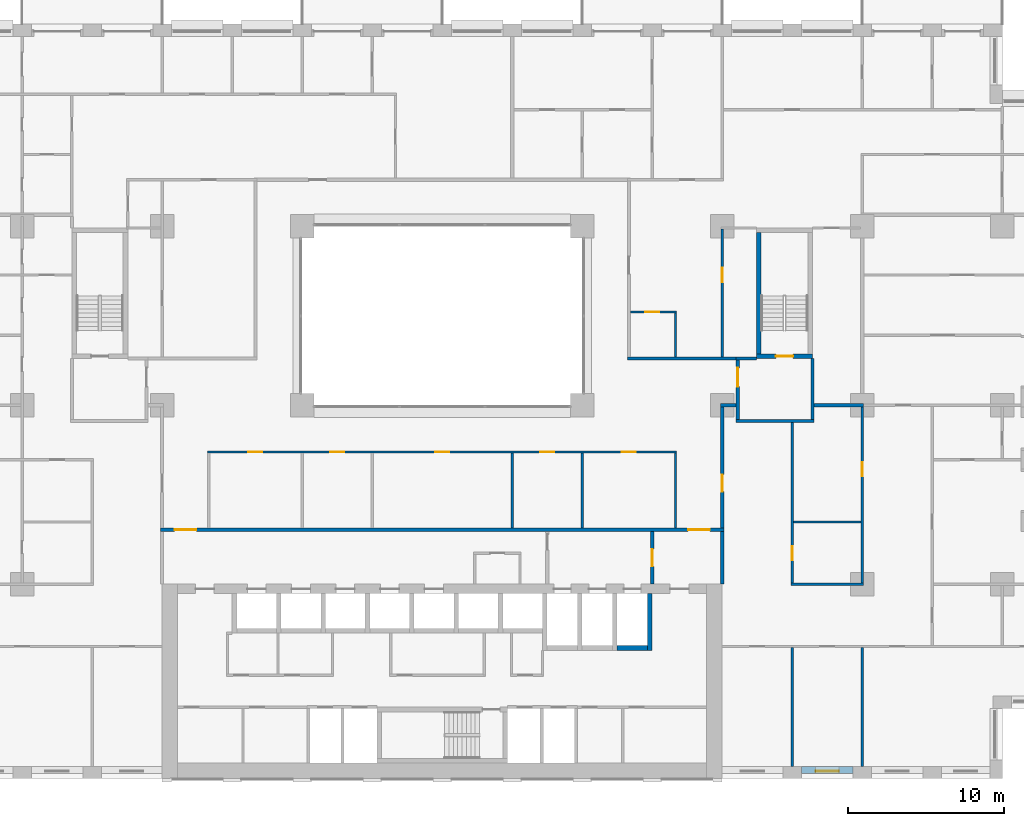
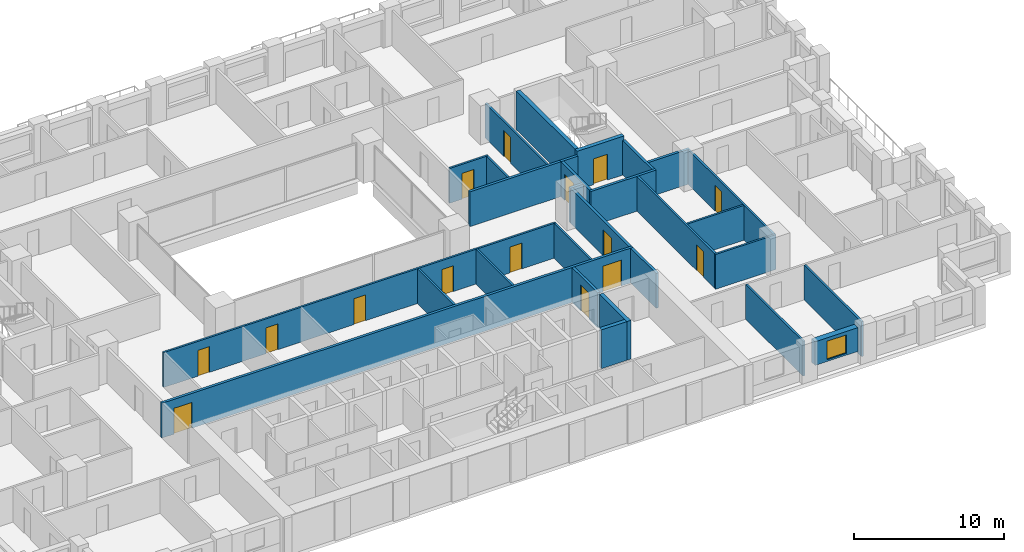
# One storey, part 12 of 20: 29 walls, 15 doors, 1 window, 16 openings.
"""IFC4 building model written with IfcOpenShell, lengths in metres."""

import ifcopenshell
import ifcopenshell.guid

model = None  # the IFC model being written
_history = None  # IfcOwnerHistory: only IFC2X3 demands one
_inside = {}  # id of a spatial element -> (the spatial element, [elements in it])
_under = {}  # id of a project, library or spatial element -> (it, [spatial elements below it])
_declared = {}  # id of a project -> (the project, [libraries it declares])
_typed = {}  # id of a type object -> (the type object, [elements of that type])
_made_of = {}  # id of a material, layer set ... -> (it, [elements and type objects made of it])


def new_model(schema):
    """Start an empty IFC model of exactly this schema.

    Asked for "IFC4X3", IfcOpenShell would pick the latest addendum, in which some entities
    have other attributes; the version numbers below select the first issue.
    IFC2X3 requires an IfcOwnerHistory on every rooted entity: one is made here for all.
    """
    global model, _history
    if schema == "IFC4X3":
        model = ifcopenshell.file(schema_version=(4, 3, 0, 0))
    else:
        model = ifcopenshell.file(schema=schema)
    _inside.clear()
    _under.clear()
    _declared.clear()
    _typed.clear()
    _made_of.clear()
    _history = None
    if model.schema == "IFC2X3":
        org = make("IfcOrganization", Name="unknown")
        user = make(
            "IfcPersonAndOrganization",
            ThePerson=make("IfcPerson", FamilyName="unknown"),
            TheOrganization=org,
        )
        app = make(
            "IfcApplication",
            ApplicationDeveloper=org,
            Version="unknown",
            ApplicationFullName="unknown",
            ApplicationIdentifier="unknown",
        )
        _history = make(
            "IfcOwnerHistory",
            OwningUser=user,
            OwningApplication=app,
            ChangeAction="ADDED",
            CreationDate=0,
        )
    return model


def make(cls, **values):
    """One entity of the class cls with the attributes given. An attribute that is None is left unset."""
    return model.create_entity(
        cls, **{name: value for name, value in values.items() if value is not None}
    )


def rooted(cls, **values):
    """An entity with a GlobalId (a new one), such as an element, a storey or a relation."""
    return make(cls, GlobalId=ifcopenshell.guid.new(), OwnerHistory=_history, **values)


def si_unit(unit_type, name, prefix=None):
    """IfcSIUnit, for example si_unit("LENGTHUNIT", "METRE", prefix="MILLI")."""
    return make("IfcSIUnit", UnitType=unit_type, Prefix=prefix, Name=name)


def assignment(units):
    """IfcUnitAssignment: the units of a project."""
    return None if units is None else make("IfcUnitAssignment", Units=units)


def point(xyz):
    """IfcCartesianPoint."""
    return None if xyz is None else make("IfcCartesianPoint", Coordinates=xyz)


def direction(xyz):
    """IfcDirection."""
    return None if xyz is None else make("IfcDirection", DirectionRatios=xyz)


def frame(location, z_axis=None, x_axis=None):
    """IfcAxis2Placement3D, a coordinate frame: its origin and axes. An axis left out is left unset."""
    return make(
        "IfcAxis2Placement3D",
        Location=point(location),
        Axis=direction(z_axis),
        RefDirection=direction(x_axis),
    )


def frame_2d(location, x_axis=None):
    """IfcAxis2Placement2D, a coordinate frame in the plane: its origin and x axis."""
    return make(
        "IfcAxis2Placement2D", Location=point(location), RefDirection=direction(x_axis)
    )


def origin():
    """The frame at (0, 0, 0) with its axes left unset."""
    return frame((0.0, 0.0, 0.0))


def place(relative_to, where):
    """IfcLocalPlacement: puts the frame where relative to a parent placement (None: the world)."""
    return make(
        "IfcLocalPlacement", PlacementRelTo=relative_to, RelativePlacement=where
    )


def context(
    kind, dimensions, precision=None, world=None, true_north=None, identifier=None
):
    """IfcGeometricRepresentationContext, for example the 3D "Model" context."""
    return make(
        "IfcGeometricRepresentationContext",
        ContextIdentifier=identifier,
        ContextType=kind,
        CoordinateSpaceDimension=dimensions,
        Precision=precision,
        WorldCoordinateSystem=world,
        TrueNorth=true_north,
    )


def subcontext(parent, identifier, kind, view, scale=None):
    """IfcGeometricRepresentationSubContext, for example "Body" below "Model"."""
    return make(
        "IfcGeometricRepresentationSubContext",
        ContextIdentifier=identifier,
        ContextType=kind,
        ParentContext=parent,
        TargetScale=scale,
        TargetView=view,
    )


def project(units=None, contexts=None):
    """IfcProject with its units and contexts."""
    return rooted(
        "IfcProject",
        Name="project",
        RepresentationContexts=contexts,
        UnitsInContext=assignment(units),
    )


def spatial(cls, under=None, at=None, **own):
    """A site, building, storey or space (cls), placed at a placement, below another one or the project."""
    s = rooted(cls, ObjectPlacement=at, **own)
    if under is not None:
        _under.setdefault(under.id(), (under, []))[1].append(s)
    return s


def profile(cls, at=None, kind="AREA", **sizes):
    """A parametric profile (cls). Its sizes go by their IFC names, for example OverallWidth=200.0."""
    return make(cls, ProfileType=kind, Position=at, **sizes)


def rectangle(**sizes):
    """IfcRectangleProfileDef."""
    return profile("IfcRectangleProfileDef", **sizes)


def extrude(swept, where, along, depth):
    """IfcExtrudedAreaSolid: the profile swept, set in the frame where, extruded along a direction by depth."""
    return make(
        "IfcExtrudedAreaSolid",
        SweptArea=swept,
        Position=where,
        ExtrudedDirection=direction(along),
        Depth=depth,
    )


def shape(context_of_items, identifier, shape_type, items):
    """IfcShapeRepresentation: the items that make up one representation, for example the "Body"."""
    return make(
        "IfcShapeRepresentation",
        ContextOfItems=context_of_items,
        RepresentationIdentifier=identifier,
        RepresentationType=shape_type,
        Items=items,
    )


def material(Name=None, Category=None):
    """IfcMaterial."""
    return make("IfcMaterial", Name=Name, Category=Category)


def layer(
    of_material, thickness, ventilated=None, Name=None, Category=None, Priority=None
):
    """IfcMaterialLayer: one layer of a wall or slab, of a material (None: an air gap)."""
    return make(
        "IfcMaterialLayer",
        Material=of_material,
        LayerThickness=thickness,
        IsVentilated=ventilated,
        Name=Name,
        Category=Category,
        Priority=Priority,
    )


def layer_set(layers, Name=None):
    """IfcMaterialLayerSet."""
    return make("IfcMaterialLayerSet", MaterialLayers=layers, LayerSetName=Name)


def made_of(thing, what):
    """Note that an element or type object is made of a material, layer set ...; save() writes the relation."""
    if what is not None:
        _made_of.setdefault(what.id(), (what, []))[1].append(thing)
    return thing


def type_object(cls, material=None, **own):
    """A type object (cls), such as IfcWallType, which elements share."""
    return made_of(rooted(cls, **own), material)


def element(
    cls,
    number,
    at=None,
    inside=None,
    cuts=None,
    type_object=None,
    material=None,
    context=None,
    identifier="Body",
    shape_type=None,
    held_by="IfcProductDefinitionShape",
    body=None,
    shapes=None,
    **own,
):
    """One element of the class cls, such as IfcWall. Its Tag is "e" and its number.

    at: its placement. inside: the storey or other place that contains it. cuts: it is an
    opening in that element (IfcRelVoidsElement). A single representation is given by context,
    identifier, shape_type and body (its items); several are given by shapes. held_by: the class
    of the entity that holds the representations. save() writes the other relations.
    """
    e = rooted(cls, Tag="e%d" % number, ObjectPlacement=at, **own)
    if body is not None:
        shapes = [shape(context, identifier, shape_type, body)]
    if shapes is not None:
        e.Representation = make(held_by, Representations=shapes)
    if inside is not None:
        _inside.setdefault(inside.id(), (inside, []))[1].append(e)
    if cuts is not None:
        rooted(
            "IfcRelVoidsElement", RelatingBuildingElement=cuts, RelatedOpeningElement=e
        )
    if type_object is not None:
        _typed.setdefault(type_object.id(), (type_object, []))[1].append(e)
    return made_of(e, material)


def fill(opening, filler):
    """IfcRelFillsElement: the door or window that sits in an opening."""
    return rooted(
        "IfcRelFillsElement",
        RelatingOpeningElement=opening,
        RelatedBuildingElement=filler,
    )


def aggregate(whole, parts):
    """IfcRelAggregates: a whole, such as a stair, and the parts it consists of."""
    return rooted("IfcRelAggregates", RelatingObject=whole, RelatedObjects=parts)


def save(model, path):
    """Write the relations noted so far, then the file.

    IfcRelAggregates (storeys below a building ...), IfcRelContainedInSpatialStructure (elements
    in a storey), IfcRelDefinesByType, IfcRelAssociatesMaterial and IfcRelDeclares: one each for
    every whole, place, type object, material and project.
    """
    for whole, parts in _under.values():
        aggregate(whole, parts)
    for where, things in _inside.values():
        rooted(
            "IfcRelContainedInSpatialStructure",
            RelatedElements=things,
            RelatingStructure=where,
        )
    for kind, things in _typed.values():
        rooted("IfcRelDefinesByType", RelatedObjects=things, RelatingType=kind)
    for what, things in _made_of.values():
        rooted("IfcRelAssociatesMaterial", RelatedObjects=things, RelatingMaterial=what)
    for by, libraries in _declared.values():
        rooted("IfcRelDeclares", RelatingContext=by, RelatedDefinitions=libraries)
    model.write(path)


model = new_model("IFC4")

# Units and contexts
model_context = context("Model", 3, precision=1e-05, world=origin(), true_north=direction((0.0, 1.0)))
body_context = subcontext(model_context, "Body", "Model", "MODEL_VIEW")
ifc_project = project(units=[si_unit("LENGTHUNIT", "METRE"), si_unit("AREAUNIT", "SQUARE_METRE"), si_unit("VOLUMEUNIT", "CUBIC_METRE"), si_unit("PLANEANGLEUNIT", "RADIAN"), si_unit("MASSUNIT", "GRAM", prefix="KILO")], contexts=[model_context])

# Site, building, storey
site_placement = place(None, origin())
site = spatial("IfcSite", under=ifc_project, at=site_placement, CompositionType="ELEMENT")
building_placement = place(site_placement, origin())
building = spatial("IfcBuilding", under=site, at=building_placement, Name="Brigalow Station Residences", CompositionType="ELEMENT")
storey_placement = place(building_placement, frame((0.0, 0.0, 41.550048828125)))
storey = spatial("IfcBuildingStorey", under=building, at=storey_placement, Name="L11", CompositionType="ELEMENT", Elevation=41.550048828125)

# Wall, opening, window
ifc_material_1 = material(Name="Clay brick masonry", Category="masonry")
ifc_layer_1 = layer(ifc_material_1, 0.449951171875)
ifc_layer_set_1 = layer_set([ifc_layer_1], Name="BRICK INFILL WALL 450")
wall_type_1 = type_object("IfcWallType", Name="BRICK INFILL WALL 450", PredefinedType="SOLIDWALL", material=ifc_layer_set_1)
wall_1_placement = place(storey_placement, frame((59.10009765625, 0.574951171875, 0.89990234375), z_axis=(0.0, 0.0, 1.0), x_axis=(1.0, 0.0, 0.0)))
wall_1 = element("IfcWall", 1, at=wall_1_placement, inside=storey, type_object=wall_type_1, Name="L11/ewall/W-L11-6", PredefinedType="SOLIDWALL", context=body_context, shape_type="SweptSolid", body=[
    extrude(rectangle(XDim=3.2998046875, YDim=0.449951171875, at=frame_2d((1.64990234375, 0.0))), origin(), (0.0, 0.0, 1.0), 1.929931640625),
])
opening_1_placement = place(wall_1_placement, frame((0.89990234375, 0.0, 0.14990234375)))
opening_1 = element("IfcOpeningElement", 2, at=opening_1_placement, cuts=wall_1, Name="Opening WT-1", PredefinedType="OPENING", context=body_context, shape_type="SweptSolid", body=[
    extrude(rectangle(XDim=1.5, YDim=1.5, at=frame_2d((0.75, 0.75))), frame((0.0, 0.23486328125, 0.0), z_axis=(0.0, -1.0, 0.0), x_axis=(1.0, 0.0, 0.0)), (0.0, 0.0, 1.0), 0.469970703125),
])
ifc_material_2 = material(Name="Anodised aluminium frame with double glazing", Category="aluminium")
window_type = type_object("IfcWindowType", Name="WINDOW 1500x1500", PartitioningType="SINGLE_PANEL", PredefinedType="WINDOW", material=ifc_material_2)
window_placement = place(opening_1_placement, origin())
window = element("IfcWindow", 3, at=window_placement, inside=storey, type_object=window_type, Name="L11/window/W-L11-6", OverallHeight=1.5, OverallWidth=1.5, PartitioningType="SINGLE_PANEL", PredefinedType="WINDOW", context=body_context, shape_type="SweptSolid", body=[
    extrude(rectangle(XDim=1.5, YDim=1.5, at=frame_2d((0.75, 0.75))), frame((0.0, -0.06494140625, 0.0), z_axis=(0.0, -1.0, 0.0), x_axis=(1.0, 0.0, 0.0)), (0.0, 0.0, 1.0), 0.06005859375),
])
fill(opening_1, window)

# Walls
ifc_material_3 = material(Name="Concrete C80", Category="concrete")
ifc_layer_2 = layer(ifc_material_3, 0.300048828125)
ifc_layer_set_2 = layer_set([ifc_layer_2], Name="CORE SHEAR WALL 300 C80")
wall_type_2 = type_object("IfcWallType", Name="CORE SHEAR WALL 300 C80", PredefinedType="SHEAR", material=ifc_layer_set_2)
wall_2_placement = place(storey_placement, frame((47.25, 8.39990234375, 0.0), z_axis=(0.0, 0.0, 1.0), x_axis=(1.0, 0.0, 0.0)))
element("IfcWall", 4, at=wall_2_placement, inside=storey, type_object=wall_type_2, Name="CORE WALL SH-SL1-S L11", PredefinedType="SHEAR", context=body_context, shape_type="SweptSolid", body=[
    extrude(rectangle(XDim=1.949951171875, YDim=0.300048828125, at=frame_2d((0.97509765625, 0.0))), origin(), (0.0, 0.0, 1.0), 3.14990234375),
])
wall_3_placement = place(storey_placement, frame((49.35009765625, 8.25, 0.0), z_axis=(0.0, 0.0, 1.0), x_axis=(0.0, 1.0, 0.0)))
element("IfcWall", 5, at=wall_3_placement, inside=storey, type_object=wall_type_2, Name="CORE WALL SH-SL1-E L11", PredefinedType="SHEAR", context=body_context, shape_type="SweptSolid", body=[
    extrude(rectangle(XDim=3.64990234375, YDim=0.300048828125, at=frame_2d((1.824951171875, 0.0))), origin(), (0.0, 0.0, 1.0), 3.14990234375),
])

# Wall, opening, door
wall_4_placement = place(storey_placement, frame((56.199951171875, 27.14990234375, 0.0), z_axis=(0.0, 0.0, 1.0), x_axis=(1.0, 0.0, 0.0)))
wall_4 = element("IfcWall", 6, at=wall_4_placement, inside=storey, type_object=wall_type_2, Name="CORE WALL ST-S3-S L11", PredefinedType="SHEAR", context=body_context, shape_type="SweptSolid", body=[
    extrude(rectangle(XDim=3.60009765625, YDim=0.300048828125, at=frame_2d((1.800048828125, 0.0))), origin(), (0.0, 0.0, 1.0), 3.14990234375),
])
opening_2_placement = place(wall_4_placement, frame((1.25, 0.0, 0.0)))
opening_2 = element("IfcOpeningElement", 7, at=opening_2_placement, cuts=wall_4, Name="Opening D-5018", PredefinedType="OPENING", context=body_context, shape_type="SweptSolid", body=[
    extrude(rectangle(XDim=1.10009765625, YDim=2.10009765625, at=frame_2d((0.550048828125, 1.050048828125))), frame((0.0, 0.16015625, 0.0), z_axis=(0.0, -1.0, 0.0), x_axis=(1.0, 0.0, 0.0)), (0.0, 0.0, 1.0), 0.320068359375),
])
ifc_material_4 = material(Name="Steel fire door leaf in steel frame", Category="steel")
door_type_1 = type_object("IfcDoorType", Name="STAIR DOOR 1100 x 2100 FD60S", OperationType="SINGLE_SWING_LEFT", PredefinedType="DOOR", material=ifc_material_4)
door_1_placement = place(opening_2_placement, origin())
door_1 = element("IfcDoor", 8, at=door_1_placement, inside=storey, type_object=door_type_1, Name="D-5018", OperationType="SINGLE_SWING_LEFT", OverallHeight=2.10009765625, OverallWidth=1.10009765625, PredefinedType="DOOR", context=body_context, shape_type="SweptSolid", body=[
    extrude(rectangle(XDim=1.10009765625, YDim=2.10009765625, at=frame_2d((0.550048828125, 1.050048828125))), frame((0.0, 0.02490234375, 0.0), z_axis=(0.0, -1.0, 0.0), x_axis=(1.0, 0.0, 0.0)), (0.0, 0.0, 1.0), 0.050048828125),
])
fill(opening_2, door_1)

# Walls
wall_5_placement = place(storey_placement, frame((56.35009765625, 27.300048828125, 0.0), z_axis=(0.0, 0.0, 1.0), x_axis=(0.0, 1.0, 0.0)))
element("IfcWall", 9, at=wall_5_placement, inside=storey, type_object=wall_type_2, Name="CORE WALL ST-S3-W L11", PredefinedType="SHEAR", context=body_context, shape_type="SweptSolid", body=[
    extrude(rectangle(XDim=7.800048828125, YDim=0.300048828125, at=frame_2d((3.89990234375, 0.0))), origin(), (0.0, 0.0, 1.0), 3.14990234375),
])
ifc_material_5 = material(Name="Concrete blockwork", Category="masonry")
ifc_layer_3 = layer(ifc_material_5, 0.199951171875)
ifc_layer_set_3 = layer_set([ifc_layer_3], Name="FIRE RATED CORE PARTITION 200")
wall_type_3 = type_object("IfcWallType", Name="FIRE RATED CORE PARTITION 200", PredefinedType="PARTITIONING", material=ifc_layer_set_3)
wall_6_placement = place(storey_placement, frame((54.89990234375, 23.0, 0.0), z_axis=(0.0, 0.0, 1.0), x_axis=(1.0, 0.0, 0.0)))
element("IfcWall", 10, at=wall_6_placement, inside=storey, type_object=wall_type_3, Name="PW-5024", PredefinedType="PARTITIONING", context=body_context, shape_type="SweptSolid", body=[
    extrude(rectangle(XDim=5.0, YDim=0.199951171875, at=frame_2d((2.5, 0.0))), origin(), (0.0, 0.0, 1.0), 2.829833984375),
])
wall_7_placement = place(storey_placement, frame((54.89990234375, 27.0, 0.0), z_axis=(0.0, 0.0, 1.0), x_axis=(1.0, 0.0, 0.0)))
element("IfcWall", 11, at=wall_7_placement, inside=storey, type_object=wall_type_3, Name="PW-5026", PredefinedType="PARTITIONING", context=body_context, shape_type="SweptSolid", body=[
    extrude(rectangle(XDim=1.300048828125, YDim=0.199951171875, at=frame_2d((0.64990234375, 0.0))), origin(), (0.0, 0.0, 1.0), 2.829833984375),
])

# Wall, opening, door
wall_8_placement = place(storey_placement, frame((49.5, 12.5, 0.0), z_axis=(0.0, 0.0, 1.0), x_axis=(0.0, 1.0, 0.0)))
wall_8 = element("IfcWall", 12, at=wall_8_placement, inside=storey, type_object=wall_type_3, Name="PW-5015", PredefinedType="PARTITIONING", context=body_context, shape_type="SweptSolid", body=[
    extrude(rectangle(XDim=3.39990234375, YDim=0.199951171875, at=frame_2d((1.699951171875, 0.0))), origin(), (0.0, 0.0, 1.0), 2.829833984375),
])
opening_3_placement = place(wall_8_placement, frame((1.14990234375, 0.0, 0.0)))
opening_3 = element("IfcOpeningElement", 13, at=opening_3_placement, cuts=wall_8, Name="Opening D-5014", PredefinedType="OPENING", context=body_context, shape_type="SweptSolid", body=[
    extrude(rectangle(XDim=1.10009765625, YDim=2.10009765625, at=frame_2d((0.550048828125, 1.050048828125))), frame((0.0, 0.10986328125, 0.0), z_axis=(0.0, -1.0, 0.0), x_axis=(1.0, 0.0, 0.0)), (0.0, 0.0, 1.0), 0.219970703125),
])
ifc_material_6 = material(Name="Steel fire door leaf in steel frame", Category="steel")
door_type_2 = type_object("IfcDoorType", Name="LOBBY DOOR 1100 x 2100 FD60S", OperationType="SINGLE_SWING_LEFT", PredefinedType="DOOR", material=ifc_material_6)
door_2_placement = place(opening_3_placement, origin())
door_2 = element("IfcDoor", 14, at=door_2_placement, inside=storey, type_object=door_type_2, Name="D-5014", OperationType="SINGLE_SWING_LEFT", OverallHeight=2.10009765625, OverallWidth=1.10009765625, PredefinedType="DOOR", context=body_context, shape_type="SweptSolid", body=[
    extrude(rectangle(XDim=1.10009765625, YDim=2.10009765625, at=frame_2d((0.550048828125, 1.050048828125))), frame((0.0, 0.02490234375, 0.0), z_axis=(0.0, -1.0, 0.0), x_axis=(1.0, 0.0, 0.0)), (0.0, 0.0, 1.0), 0.050048828125),
])
fill(opening_3, door_2)

# Wall
wall_9_placement = place(storey_placement, frame((54.0, 12.5, 0.0), z_axis=(0.0, 0.0, 1.0), x_axis=(0.0, 1.0, 0.0)))
element("IfcWall", 15, at=wall_9_placement, inside=storey, type_object=wall_type_3, Name="PW-5016", PredefinedType="PARTITIONING", context=body_context, shape_type="SweptSolid", body=[
    extrude(rectangle(XDim=3.39990234375, YDim=0.199951171875, at=frame_2d((1.699951171875, 0.0))), origin(), (0.0, 0.0, 1.0), 2.829833984375),
])

# Wall, opening, door
wall_10_placement = place(storey_placement, frame((55.0, 23.10009765625, 0.0), z_axis=(0.0, 0.0, 1.0), x_axis=(0.0, 1.0, 0.0)))
wall_10 = element("IfcWall", 16, at=wall_10_placement, inside=storey, type_object=wall_type_3, Name="PW-5036", PredefinedType="PARTITIONING", context=body_context, shape_type="SweptSolid", body=[
    extrude(rectangle(XDim=3.7998046875, YDim=0.199951171875, at=frame_2d((1.89990234375, 0.0))), origin(), (0.0, 0.0, 1.0), 2.829833984375),
])
opening_4_placement = place(wall_10_placement, frame((2.10009765625, 0.0, 0.0)))
opening_4 = element("IfcOpeningElement", 17, at=opening_4_placement, cuts=wall_10, Name="Opening D-5019", PredefinedType="OPENING", context=body_context, shape_type="SweptSolid", body=[
    extrude(rectangle(XDim=1.199951171875, YDim=2.10009765625, at=frame_2d((0.60009765625, 1.050048828125))), frame((0.0, 0.10986328125, 0.0), z_axis=(0.0, -1.0, 0.0), x_axis=(1.0, 0.0, 0.0)), (0.0, 0.0, 1.0), 0.219970703125),
])
ifc_material_7 = material(Name="Steel fire door leaf in steel frame", Category="steel")
door_type_3 = type_object("IfcDoorType", Name="STAIR LOBBY DOOR 1200 x 2100 FD60S", OperationType="SINGLE_SWING_LEFT", PredefinedType="DOOR", material=ifc_material_7)
door_3_placement = place(opening_4_placement, frame((1.199951171875, 0.0, 0.0), z_axis=(0.0, 0.0, 1.0), x_axis=(-1.0, 0.0, 0.0)))
door_3 = element("IfcDoor", 18, at=door_3_placement, inside=storey, type_object=door_type_3, Name="D-5019", OperationType="SINGLE_SWING_LEFT", OverallHeight=2.10009765625, OverallWidth=1.199951171875, PredefinedType="DOOR", context=body_context, shape_type="SweptSolid", body=[
    extrude(rectangle(XDim=1.199951171875, YDim=2.10009765625, at=frame_2d((0.60009765625, 1.050048828125))), frame((0.0, 0.02490234375, 0.0), z_axis=(0.0, -1.0, 0.0), x_axis=(1.0, 0.0, 0.0)), (0.0, 0.0, 1.0), 0.050048828125),
])
fill(opening_4, door_3)

# Wall
wall_11_placement = place(storey_placement, frame((59.800048828125, 23.10009765625, 0.0), z_axis=(0.0, 0.0, 1.0), x_axis=(0.0, 1.0, 0.0)))
element("IfcWall", 19, at=wall_11_placement, inside=storey, type_object=wall_type_3, Name="PW-5037", PredefinedType="PARTITIONING", context=body_context, shape_type="SweptSolid", body=[
    extrude(rectangle(XDim=3.89990234375, YDim=0.199951171875, at=frame_2d((1.949951171875, 0.0))), origin(), (0.0, 0.0, 1.0), 2.829833984375),
])

# Wall, openings, doors
ifc_material_8 = material(Name="Plasterboard on steel stud partition", Category="steel")
ifc_layer_4 = layer(ifc_material_8, 0.14990234375)
ifc_layer_set_4 = layer_set([ifc_layer_4], Name="FLAT PARTITION 150")
wall_type_4 = type_object("IfcWallType", Name="FLAT PARTITION 150", PredefinedType="PARTITIONING", material=ifc_layer_set_4)
wall_12_placement = place(storey_placement, frame((20.925048828125, 21.0, 0.0), z_axis=(0.0, 0.0, 1.0), x_axis=(1.0, 0.0, 0.0)))
wall_12 = element("IfcWall", 20, at=wall_12_placement, inside=storey, type_object=wall_type_4, Name="PW-1C01", PredefinedType="PARTITIONING", context=body_context, shape_type="SweptSolid", body=[
    extrude(rectangle(XDim=30.14990234375, YDim=0.14990234375, at=frame_2d((15.074951171875, 0.0))), origin(), (0.0, 0.0, 1.0), 2.829833984375),
])
opening_5_placement = place(wall_12_placement, frame((2.625, 0.0, 0.0)))
opening_5 = element("IfcOpeningElement", 21, at=opening_5_placement, cuts=wall_12, Name="Opening D-1C64", PredefinedType="OPENING", context=body_context, shape_type="SweptSolid", body=[
    extrude(rectangle(XDim=0.89990234375, YDim=2.10009765625, at=frame_2d((0.449951171875, 1.050048828125))), frame((0.0, 0.0849609375, 0.0), z_axis=(0.0, -1.0, 0.0), x_axis=(1.0, 0.0, 0.0)), (0.0, 0.0, 1.0), 0.169921875),
])
opening_6_placement = place(wall_12_placement, frame((7.875, 0.0, 0.0)))
opening_6 = element("IfcOpeningElement", 22, at=opening_6_placement, cuts=wall_12, Name="Opening D-1C65", PredefinedType="OPENING", context=body_context, shape_type="SweptSolid", body=[
    extrude(rectangle(XDim=0.89990234375, YDim=2.10009765625, at=frame_2d((0.449951171875, 1.050048828125))), frame((0.0, 0.0849609375, 0.0), z_axis=(0.0, -1.0, 0.0), x_axis=(1.0, 0.0, 0.0)), (0.0, 0.0, 1.0), 0.169921875),
])
opening_7_placement = place(wall_12_placement, frame((14.625, 0.0, 0.0)))
opening_7 = element("IfcOpeningElement", 23, at=opening_7_placement, cuts=wall_12, Name="Opening D-1C66", PredefinedType="OPENING", context=body_context, shape_type="SweptSolid", body=[
    extrude(rectangle(XDim=0.89990234375, YDim=2.10009765625, at=frame_2d((0.449951171875, 1.050048828125))), frame((0.0, 0.0849609375, 0.0), z_axis=(0.0, -1.0, 0.0), x_axis=(1.0, 0.0, 0.0)), (0.0, 0.0, 1.0), 0.169921875),
])
opening_8_placement = place(wall_12_placement, frame((21.375, 0.0, 0.0)))
opening_8 = element("IfcOpeningElement", 24, at=opening_8_placement, cuts=wall_12, Name="Opening D-1C67", PredefinedType="OPENING", context=body_context, shape_type="SweptSolid", body=[
    extrude(rectangle(XDim=0.89990234375, YDim=2.10009765625, at=frame_2d((0.449951171875, 1.050048828125))), frame((0.0, 0.0849609375, 0.0), z_axis=(0.0, -1.0, 0.0), x_axis=(1.0, 0.0, 0.0)), (0.0, 0.0, 1.0), 0.169921875),
])
opening_9_placement = place(wall_12_placement, frame((26.625, 0.0, 0.0)))
opening_9 = element("IfcOpeningElement", 25, at=opening_9_placement, cuts=wall_12, Name="Opening D-1C68", PredefinedType="OPENING", context=body_context, shape_type="SweptSolid", body=[
    extrude(rectangle(XDim=0.89990234375, YDim=2.10009765625, at=frame_2d((0.449951171875, 1.050048828125))), frame((0.0, 0.0849609375, 0.0), z_axis=(0.0, -1.0, 0.0), x_axis=(1.0, 0.0, 0.0)), (0.0, 0.0, 1.0), 0.169921875),
])
ifc_material_9 = material(Name="Solid-core timber door leaf", Category="wood")
door_type_4 = type_object("IfcDoorType", Name="INTERNAL DOOR 900 x 2100", OperationType="SINGLE_SWING_LEFT", PredefinedType="DOOR", material=ifc_material_9)
door_4_placement = place(opening_5_placement, frame((0.89990234375, 0.0, 0.0), z_axis=(0.0, 0.0, 1.0), x_axis=(-1.0, 0.0, 0.0)))
door_4 = element("IfcDoor", 26, at=door_4_placement, inside=storey, type_object=door_type_4, Name="D-1C64", OperationType="SINGLE_SWING_LEFT", OverallHeight=2.10009765625, OverallWidth=0.89990234375, PredefinedType="DOOR", context=body_context, shape_type="SweptSolid", body=[
    extrude(rectangle(XDim=0.89990234375, YDim=2.10009765625, at=frame_2d((0.449951171875, 1.050048828125))), frame((0.0, 0.02490234375, 0.0), z_axis=(0.0, -1.0, 0.0), x_axis=(1.0, 0.0, 0.0)), (0.0, 0.0, 1.0), 0.050048828125),
])
fill(opening_5, door_4)
door_5_placement = place(opening_6_placement, frame((0.89990234375, 0.0, 0.0), z_axis=(0.0, 0.0, 1.0), x_axis=(-1.0, 0.0, 0.0)))
door_5 = element("IfcDoor", 27, at=door_5_placement, inside=storey, type_object=door_type_4, Name="D-1C65", OperationType="SINGLE_SWING_RIGHT", OverallHeight=2.10009765625, OverallWidth=0.89990234375, PredefinedType="DOOR", context=body_context, shape_type="SweptSolid", body=[
    extrude(rectangle(XDim=0.89990234375, YDim=2.10009765625, at=frame_2d((0.449951171875, 1.050048828125))), frame((0.0, 0.02490234375, 0.0), z_axis=(0.0, -1.0, 0.0), x_axis=(1.0, 0.0, 0.0)), (0.0, 0.0, 1.0), 0.050048828125),
])
fill(opening_6, door_5)
door_6_placement = place(opening_7_placement, frame((0.89990234375, 0.0, 0.0), z_axis=(0.0, 0.0, 1.0), x_axis=(-1.0, 0.0, 0.0)))
door_6 = element("IfcDoor", 28, at=door_6_placement, inside=storey, type_object=door_type_4, Name="D-1C66", OperationType="SINGLE_SWING_LEFT", OverallHeight=2.10009765625, OverallWidth=0.89990234375, PredefinedType="DOOR", context=body_context, shape_type="SweptSolid", body=[
    extrude(rectangle(XDim=0.89990234375, YDim=2.10009765625, at=frame_2d((0.449951171875, 1.050048828125))), frame((0.0, 0.02490234375, 0.0), z_axis=(0.0, -1.0, 0.0), x_axis=(1.0, 0.0, 0.0)), (0.0, 0.0, 1.0), 0.050048828125),
])
fill(opening_7, door_6)
door_7_placement = place(opening_8_placement, frame((0.89990234375, 0.0, 0.0), z_axis=(0.0, 0.0, 1.0), x_axis=(-1.0, 0.0, 0.0)))
door_7 = element("IfcDoor", 29, at=door_7_placement, inside=storey, type_object=door_type_4, Name="D-1C67", OperationType="SINGLE_SWING_LEFT", OverallHeight=2.10009765625, OverallWidth=0.89990234375, PredefinedType="DOOR", context=body_context, shape_type="SweptSolid", body=[
    extrude(rectangle(XDim=0.89990234375, YDim=2.10009765625, at=frame_2d((0.449951171875, 1.050048828125))), frame((0.0, 0.02490234375, 0.0), z_axis=(0.0, -1.0, 0.0), x_axis=(1.0, 0.0, 0.0)), (0.0, 0.0, 1.0), 0.050048828125),
])
fill(opening_8, door_7)
door_8_placement = place(opening_9_placement, frame((0.89990234375, 0.0, 0.0), z_axis=(0.0, 0.0, 1.0), x_axis=(-1.0, 0.0, 0.0)))
door_8 = element("IfcDoor", 30, at=door_8_placement, inside=storey, type_object=door_type_4, Name="D-1C68", OperationType="SINGLE_SWING_LEFT", OverallHeight=2.10009765625, OverallWidth=0.89990234375, PredefinedType="DOOR", context=body_context, shape_type="SweptSolid", body=[
    extrude(rectangle(XDim=0.89990234375, YDim=2.10009765625, at=frame_2d((0.449951171875, 1.050048828125))), frame((0.0, 0.02490234375, 0.0), z_axis=(0.0, -1.0, 0.0), x_axis=(1.0, 0.0, 0.0)), (0.0, 0.0, 1.0), 0.050048828125),
])
fill(opening_9, door_8)

# Walls
wall_13_placement = place(storey_placement, frame((58.425048828125, 12.5, 0.0), z_axis=(0.0, 0.0, 1.0), x_axis=(1.0, 0.0, 0.0)))
element("IfcWall", 31, at=wall_13_placement, inside=storey, type_object=wall_type_4, Name="PW-1C15", PredefinedType="PARTITIONING", context=body_context, shape_type="SweptSolid", body=[
    extrude(rectangle(XDim=4.64990234375, YDim=0.14990234375, at=frame_2d((2.324951171875, 0.0))), origin(), (0.0, 0.0, 1.0), 2.829833984375),
])
wall_14_placement = place(storey_placement, frame((58.574951171875, 16.5, 0.0), z_axis=(0.0, 0.0, 1.0), x_axis=(1.0, 0.0, 0.0)))
element("IfcWall", 32, at=wall_14_placement, inside=storey, type_object=wall_type_4, Name="PW-1C22", PredefinedType="PARTITIONING", context=body_context, shape_type="SweptSolid", body=[
    extrude(rectangle(XDim=4.35009765625, YDim=0.14990234375, at=frame_2d((2.175048828125, 0.0))), origin(), (0.0, 0.0, 1.0), 2.829833984375),
])

# Wall, opening, door
wall_15_placement = place(storey_placement, frame((48.10009765625, 30.0, 0.0), z_axis=(0.0, 0.0, 1.0), x_axis=(1.0, 0.0, 0.0)))
wall_15 = element("IfcWall", 33, at=wall_15_placement, inside=storey, type_object=wall_type_4, Name="PW-1C34", PredefinedType="PARTITIONING", context=body_context, shape_type="SweptSolid", body=[
    extrude(rectangle(XDim=2.974853515625, YDim=0.14990234375, at=frame_2d((1.4873046875, 0.0))), origin(), (0.0, 0.0, 1.0), 2.829833984375),
])
opening_10_placement = place(wall_15_placement, frame((0.949951171875, 0.0, 0.0)))
opening_10 = element("IfcOpeningElement", 34, at=opening_10_placement, cuts=wall_15, Name="Opening D-1C43", PredefinedType="OPENING", context=body_context, shape_type="SweptSolid", body=[
    extrude(rectangle(XDim=0.89990234375, YDim=2.10009765625, at=frame_2d((0.449951171875, 1.050048828125))), frame((0.0, 0.0849609375, 0.0), z_axis=(0.0, -1.0, 0.0), x_axis=(1.0, 0.0, 0.0)), (0.0, 0.0, 1.0), 0.169921875),
])
door_9_placement = place(opening_10_placement, frame((0.89990234375, 0.0, 0.0), z_axis=(0.0, 0.0, 1.0), x_axis=(-1.0, 0.0, 0.0)))
door_9 = element("IfcDoor", 35, at=door_9_placement, inside=storey, type_object=door_type_4, Name="D-1C43", OperationType="SINGLE_SWING_RIGHT", OverallHeight=2.10009765625, OverallWidth=0.89990234375, PredefinedType="DOOR", context=body_context, shape_type="SweptSolid", body=[
    extrude(rectangle(XDim=0.89990234375, YDim=2.10009765625, at=frame_2d((0.449951171875, 1.050048828125))), frame((0.0, 0.02490234375, 0.0), z_axis=(0.0, -1.0, 0.0), x_axis=(1.0, 0.0, 0.0)), (0.0, 0.0, 1.0), 0.050048828125),
])
fill(opening_10, door_9)

wall_16_placement = place(storey_placement, frame((54.0, 27.10009765625, 0.0), z_axis=(0.0, 0.0, 1.0), x_axis=(0.0, 1.0, 0.0)))
wall_16 = element("IfcWall", 36, at=wall_16_placement, inside=storey, type_object=wall_type_4, Name="PW-1C41", PredefinedType="PARTITIONING", context=body_context, shape_type="SweptSolid", body=[
    extrude(rectangle(XDim=8.224853515625, YDim=0.14990234375, at=frame_2d((4.1123046875, 0.0))), origin(), (0.0, 0.0, 1.0), 2.829833984375),
])
opening_11_placement = place(wall_16_placement, frame((4.824951171875, 0.0, 0.0)))
opening_11 = element("IfcOpeningElement", 37, at=opening_11_placement, cuts=wall_16, Name="Opening D-1C45", PredefinedType="OPENING", context=body_context, shape_type="SweptSolid", body=[
    extrude(rectangle(XDim=0.89990234375, YDim=2.10009765625, at=frame_2d((0.449951171875, 1.050048828125))), frame((0.0, 0.0849609375, 0.0), z_axis=(0.0, -1.0, 0.0), x_axis=(1.0, 0.0, 0.0)), (0.0, 0.0, 1.0), 0.169921875),
])
door_10_placement = place(opening_11_placement, frame((0.89990234375, 0.0, 0.0), z_axis=(0.0, 0.0, 1.0), x_axis=(-1.0, 0.0, 0.0)))
door_10 = element("IfcDoor", 38, at=door_10_placement, inside=storey, type_object=door_type_4, Name="D-1C45", OperationType="SINGLE_SWING_LEFT", OverallHeight=2.10009765625, OverallWidth=0.89990234375, PredefinedType="DOOR", context=body_context, shape_type="SweptSolid", body=[
    extrude(rectangle(XDim=0.89990234375, YDim=2.10009765625, at=frame_2d((0.449951171875, 1.050048828125))), frame((0.0, 0.02490234375, 0.0), z_axis=(0.0, -1.0, 0.0), x_axis=(1.0, 0.0, 0.0)), (0.0, 0.0, 1.0), 0.050048828125),
])
fill(opening_11, door_10)

# Walls
wall_17_placement = place(storey_placement, frame((51.0, 16.10009765625, 0.0), z_axis=(0.0, 0.0, 1.0), x_axis=(0.0, 1.0, 0.0)))
element("IfcWall", 39, at=wall_17_placement, inside=storey, type_object=wall_type_4, Name="PW-1C45", PredefinedType="PARTITIONING", context=body_context, shape_type="SweptSolid", body=[
    extrude(rectangle(XDim=4.824951171875, YDim=0.14990234375, at=frame_2d((2.41259765625, 0.0))), origin(), (0.0, 0.0, 1.0), 2.829833984375),
])
wall_18_placement = place(storey_placement, frame((51.0, 27.10009765625, 0.0), z_axis=(0.0, 0.0, 1.0), x_axis=(0.0, 1.0, 0.0)))
element("IfcWall", 40, at=wall_18_placement, inside=storey, type_object=wall_type_4, Name="PW-1C46", PredefinedType="PARTITIONING", context=body_context, shape_type="SweptSolid", body=[
    extrude(rectangle(XDim=2.824951171875, YDim=0.14990234375, at=frame_2d((1.41259765625, 0.0))), origin(), (0.0, 0.0, 1.0), 2.829833984375),
])
wall_19_placement = place(storey_placement, frame((40.5, 16.10009765625, 0.0), z_axis=(0.0, 0.0, 1.0), x_axis=(0.0, 1.0, 0.0)))
element("IfcWall", 41, at=wall_19_placement, inside=storey, type_object=wall_type_4, Name="PW-1C67", PredefinedType="PARTITIONING", context=body_context, shape_type="SweptSolid", body=[
    extrude(rectangle(XDim=4.824951171875, YDim=0.14990234375, at=frame_2d((2.41259765625, 0.0))), origin(), (0.0, 0.0, 1.0), 2.829833984375),
])
wall_20_placement = place(storey_placement, frame((63.0, 0.800048828125, 0.0), z_axis=(0.0, 0.0, 1.0), x_axis=(0.0, 1.0, 0.0)))
element("IfcWall", 42, at=wall_20_placement, inside=storey, type_object=wall_type_4, Name="PW-1C69", PredefinedType="PARTITIONING", context=body_context, shape_type="SweptSolid", body=[
    extrude(rectangle(XDim=7.625, YDim=0.14990234375, at=frame_2d((3.8125, 0.0))), origin(), (0.0, 0.0, 1.0), 2.829833984375),
])

# Wall, opening, door
wall_21_placement = place(storey_placement, frame((63.0, 12.574951171875, 0.0), z_axis=(0.0, 0.0, 1.0), x_axis=(0.0, 1.0, 0.0)))
wall_21 = element("IfcWall", 43, at=wall_21_placement, inside=storey, type_object=wall_type_4, Name="PW-1C70", PredefinedType="PARTITIONING", context=body_context, shape_type="SweptSolid", body=[
    extrude(rectangle(XDim=11.35009765625, YDim=0.14990234375, at=frame_2d((5.675048828125, 0.0))), origin(), (0.0, 0.0, 1.0), 2.829833984375),
])
opening_12_placement = place(wall_21_placement, frame((6.85009765625, 0.0, 0.0)))
opening_12 = element("IfcOpeningElement", 44, at=opening_12_placement, cuts=wall_21, Name="Opening D-1C61", PredefinedType="OPENING", context=body_context, shape_type="SweptSolid", body=[
    extrude(rectangle(XDim=0.89990234375, YDim=2.10009765625, at=frame_2d((0.449951171875, 1.050048828125))), frame((0.0, 0.0849609375, 0.0), z_axis=(0.0, -1.0, 0.0), x_axis=(1.0, 0.0, 0.0)), (0.0, 0.0, 1.0), 0.169921875),
])
door_11_placement = place(opening_12_placement, origin())
door_11 = element("IfcDoor", 45, at=door_11_placement, inside=storey, type_object=door_type_4, Name="D-1C61", OperationType="SINGLE_SWING_LEFT", OverallHeight=2.10009765625, OverallWidth=0.89990234375, PredefinedType="DOOR", context=body_context, shape_type="SweptSolid", body=[
    extrude(rectangle(XDim=0.89990234375, YDim=2.10009765625, at=frame_2d((0.449951171875, 1.050048828125))), frame((0.0, 0.02490234375, 0.0), z_axis=(0.0, -1.0, 0.0), x_axis=(1.0, 0.0, 0.0)), (0.0, 0.0, 1.0), 0.050048828125),
])
fill(opening_12, door_11)

# Walls
wall_22_placement = place(storey_placement, frame((45.0, 16.10009765625, 0.0), z_axis=(0.0, 0.0, 1.0), x_axis=(0.0, 1.0, 0.0)))
element("IfcWall", 46, at=wall_22_placement, inside=storey, type_object=wall_type_4, Name="PW-1C81", PredefinedType="PARTITIONING", context=body_context, shape_type="SweptSolid", body=[
    extrude(rectangle(XDim=4.824951171875, YDim=0.14990234375, at=frame_2d((2.41259765625, 0.0))), origin(), (0.0, 0.0, 1.0), 2.829833984375),
])
wall_23_placement = place(storey_placement, frame((58.5, 0.800048828125, 0.0), z_axis=(0.0, 0.0, 1.0), x_axis=(0.0, 1.0, 0.0)))
element("IfcWall", 47, at=wall_23_placement, inside=storey, type_object=wall_type_4, Name="PW-1C83", PredefinedType="PARTITIONING", context=body_context, shape_type="SweptSolid", body=[
    extrude(rectangle(XDim=7.625, YDim=0.14990234375, at=frame_2d((3.8125, 0.0))), origin(), (0.0, 0.0, 1.0), 2.829833984375),
])

# Wall, opening, door
wall_24_placement = place(storey_placement, frame((58.5, 12.574951171875, 0.0), z_axis=(0.0, 0.0, 1.0), x_axis=(0.0, 1.0, 0.0)))
wall_24 = element("IfcWall", 48, at=wall_24_placement, inside=storey, type_object=wall_type_4, Name="PW-1C84", PredefinedType="PARTITIONING", context=body_context, shape_type="SweptSolid", body=[
    extrude(rectangle(XDim=10.324951171875, YDim=0.14990234375, at=frame_2d((5.16259765625, 0.0))), origin(), (0.0, 0.0, 1.0), 2.829833984375),
])
opening_13_placement = place(wall_24_placement, frame((1.47509765625, 0.0, 0.0)))
opening_13 = element("IfcOpeningElement", 49, at=opening_13_placement, cuts=wall_24, Name="Opening D-1C50", PredefinedType="OPENING", context=body_context, shape_type="SweptSolid", body=[
    extrude(rectangle(XDim=0.89990234375, YDim=2.10009765625, at=frame_2d((0.449951171875, 1.050048828125))), frame((0.0, 0.0849609375, 0.0), z_axis=(0.0, -1.0, 0.0), x_axis=(1.0, 0.0, 0.0)), (0.0, 0.0, 1.0), 0.169921875),
])
door_12_placement = place(opening_13_placement, frame((0.89990234375, 0.0, 0.0), z_axis=(0.0, 0.0, 1.0), x_axis=(-1.0, 0.0, 0.0)))
door_12 = element("IfcDoor", 50, at=door_12_placement, inside=storey, type_object=door_type_4, Name="D-1C50", OperationType="SINGLE_SWING_RIGHT", OverallHeight=2.10009765625, OverallWidth=0.89990234375, PredefinedType="DOOR", context=body_context, shape_type="SweptSolid", body=[
    extrude(rectangle(XDim=0.89990234375, YDim=2.10009765625, at=frame_2d((0.449951171875, 1.050048828125))), frame((0.0, 0.02490234375, 0.0), z_axis=(0.0, -1.0, 0.0), x_axis=(1.0, 0.0, 0.0)), (0.0, 0.0, 1.0), 0.050048828125),
])
fill(opening_13, door_12)

# Walls
ifc_material_10 = material(Name="Plasterboard on steel stud partition", Category="steel")
ifc_layer_5 = layer(ifc_material_10, 0.199951171875)
ifc_layer_set_5 = layer_set([ifc_layer_5], Name="PARTY AND CORRIDOR WALL 200")
wall_type_5 = type_object("IfcWallType", Name="PARTY AND CORRIDOR WALL 200", PredefinedType="PARTITIONING", material=ifc_layer_set_5)
wall_25_placement = place(storey_placement, frame((53.89990234375, 24.0, 0.0), z_axis=(0.0, 0.0, 1.0), x_axis=(1.0, 0.0, 0.0)))
element("IfcWall", 51, at=wall_25_placement, inside=storey, type_object=wall_type_5, Name="PW-1C05", PredefinedType="PARTITIONING", context=body_context, shape_type="SweptSolid", body=[
    extrude(rectangle(XDim=1.0, YDim=0.199951171875, at=frame_2d((0.5, 0.0))), origin(), (0.0, 0.0, 1.0), 2.829833984375),
])
wall_26_placement = place(storey_placement, frame((59.89990234375, 24.0, 0.0), z_axis=(0.0, 0.0, 1.0), x_axis=(1.0, 0.0, 0.0)))
element("IfcWall", 52, at=wall_26_placement, inside=storey, type_object=wall_type_5, Name="PW-1C06", PredefinedType="PARTITIONING", context=body_context, shape_type="SweptSolid", body=[
    extrude(rectangle(XDim=3.175048828125, YDim=0.199951171875, at=frame_2d((1.58740234375, 0.0))), origin(), (0.0, 0.0, 1.0), 2.829833984375),
])
wall_27_placement = place(storey_placement, frame((47.89990234375, 27.0, 0.0), z_axis=(0.0, 0.0, 1.0), x_axis=(1.0, 0.0, 0.0)))
element("IfcWall", 53, at=wall_27_placement, inside=storey, type_object=wall_type_5, Name="PW-1C08", PredefinedType="PARTITIONING", context=body_context, shape_type="SweptSolid", body=[
    extrude(rectangle(XDim=7.0, YDim=0.199951171875, at=frame_2d((3.5, 0.0))), origin(), (0.0, 0.0, 1.0), 2.829833984375),
])

# Wall, openings, doors
wall_28_placement = place(storey_placement, frame((17.89990234375, 16.0, 0.0), z_axis=(0.0, 0.0, 1.0), x_axis=(1.0, 0.0, 0.0)))
wall_28 = element("IfcWall", 54, at=wall_28_placement, inside=storey, type_object=wall_type_5, Name="PW-1C37", PredefinedType="PARTITIONING", context=body_context, shape_type="SweptSolid", body=[
    extrude(rectangle(XDim=36.2001953125, YDim=0.199951171875, at=frame_2d((18.10009765625, 0.0))), origin(), (0.0, 0.0, 1.0), 2.829833984375),
])
opening_14_placement = place(wall_28_placement, frame((0.89990234375, 0.0, 0.0)))
opening_14 = element("IfcOpeningElement", 55, at=opening_14_placement, cuts=wall_28, Name="Opening D-1C01", PredefinedType="OPENING", context=body_context, shape_type="SweptSolid", body=[
    extrude(rectangle(XDim=1.39990234375, YDim=2.10009765625, at=frame_2d((0.699951171875, 1.050048828125))), frame((0.0, 0.10986328125, 0.0), z_axis=(0.0, -1.0, 0.0), x_axis=(1.0, 0.0, 0.0)), (0.0, 0.0, 1.0), 0.219970703125),
])
opening_15_placement = place(wall_28_placement, frame((33.89990234375, 0.0, 0.0)))
opening_15 = element("IfcOpeningElement", 56, at=opening_15_placement, cuts=wall_28, Name="Opening D-1C02", PredefinedType="OPENING", context=body_context, shape_type="SweptSolid", body=[
    extrude(rectangle(XDim=1.39990234375, YDim=2.10009765625, at=frame_2d((0.699951171875, 1.050048828125))), frame((0.0, 0.10986328125, 0.0), z_axis=(0.0, -1.0, 0.0), x_axis=(1.0, 0.0, 0.0)), (0.0, 0.0, 1.0), 0.219970703125),
])
ifc_material_11 = material(Name="Solid-core timber door leaf", Category="wood")
door_type_5 = type_object("IfcDoorType", Name="CORRIDOR FIRE DOOR 1400 x 2100 FRL -/60/30", OperationType="DOUBLE_DOOR_SINGLE_SWING", PredefinedType="DOOR", material=ifc_material_11)
door_13_placement = place(opening_14_placement, frame((1.39990234375, 0.0, 0.0), z_axis=(0.0, 0.0, 1.0), x_axis=(-1.0, 0.0, 0.0)))
door_13 = element("IfcDoor", 57, at=door_13_placement, inside=storey, type_object=door_type_5, Name="D-1C01", OperationType="DOUBLE_DOOR_SINGLE_SWING", OverallHeight=2.10009765625, OverallWidth=1.39990234375, PredefinedType="DOOR", context=body_context, shape_type="SweptSolid", body=[
    extrude(rectangle(XDim=1.39990234375, YDim=2.10009765625, at=frame_2d((0.699951171875, 1.050048828125))), frame((0.0, 0.02490234375, 0.0), z_axis=(0.0, -1.0, 0.0), x_axis=(1.0, 0.0, 0.0)), (0.0, 0.0, 1.0), 0.050048828125),
])
fill(opening_14, door_13)
door_14_placement = place(opening_15_placement, frame((1.39990234375, 0.0, 0.0), z_axis=(0.0, 0.0, 1.0), x_axis=(-1.0, 0.0, 0.0)))
door_14 = element("IfcDoor", 58, at=door_14_placement, inside=storey, type_object=door_type_5, Name="D-1C02", OperationType="DOUBLE_DOOR_SINGLE_SWING", OverallHeight=2.10009765625, OverallWidth=1.39990234375, PredefinedType="DOOR", context=body_context, shape_type="SweptSolid", body=[
    extrude(rectangle(XDim=1.39990234375, YDim=2.10009765625, at=frame_2d((0.699951171875, 1.050048828125))), frame((0.0, 0.02490234375, 0.0), z_axis=(0.0, -1.0, 0.0), x_axis=(1.0, 0.0, 0.0)), (0.0, 0.0, 1.0), 0.050048828125),
])
fill(opening_15, door_14)

# Wall, opening, door
wall_29_placement = place(storey_placement, frame((54.0, 16.10009765625, 0.0), z_axis=(0.0, 0.0, 1.0), x_axis=(0.0, 1.0, 0.0)))
wall_29 = element("IfcWall", 59, at=wall_29_placement, inside=storey, type_object=wall_type_5, Name="PW-1C43", PredefinedType="PARTITIONING", context=body_context, shape_type="SweptSolid", body=[
    extrude(rectangle(XDim=7.7998046875, YDim=0.199951171875, at=frame_2d((3.89990234375, 0.0))), origin(), (0.0, 0.0, 1.0), 2.829833984375),
])
opening_16_placement = place(wall_29_placement, frame((2.35009765625, 0.0, 0.0)))
opening_16 = element("IfcOpeningElement", 60, at=opening_16_placement, cuts=wall_29, Name="Opening D-1C63", PredefinedType="OPENING", context=body_context, shape_type="SweptSolid", body=[
    extrude(rectangle(XDim=1.10009765625, YDim=2.10009765625, at=frame_2d((0.550048828125, 1.050048828125))), frame((0.0, 0.10986328125, 0.0), z_axis=(0.0, -1.0, 0.0), x_axis=(1.0, 0.0, 0.0)), (0.0, 0.0, 1.0), 0.219970703125),
])
ifc_material_12 = material(Name="Solid-core timber door leaf", Category="wood")
door_type_6 = type_object("IfcDoorType", Name="FLAT ENTRANCE DOOR 1100 x 2100 FRL -/60/30", OperationType="SINGLE_SWING_LEFT", PredefinedType="DOOR", material=ifc_material_12)
door_15_placement = place(opening_16_placement, frame((1.10009765625, 0.0, 0.0), z_axis=(0.0, 0.0, 1.0), x_axis=(-1.0, 0.0, 0.0)))
door_15 = element("IfcDoor", 61, at=door_15_placement, inside=storey, type_object=door_type_6, Name="D-1C63", OperationType="SINGLE_SWING_LEFT", OverallHeight=2.10009765625, OverallWidth=1.10009765625, PredefinedType="DOOR", context=body_context, shape_type="SweptSolid", body=[
    extrude(rectangle(XDim=1.10009765625, YDim=2.10009765625, at=frame_2d((0.550048828125, 1.050048828125))), frame((0.0, 0.02490234375, 0.0), z_axis=(0.0, -1.0, 0.0), x_axis=(1.0, 0.0, 0.0)), (0.0, 0.0, 1.0), 0.050048828125),
])
fill(opening_16, door_15)

save(model, "model.ifc")
